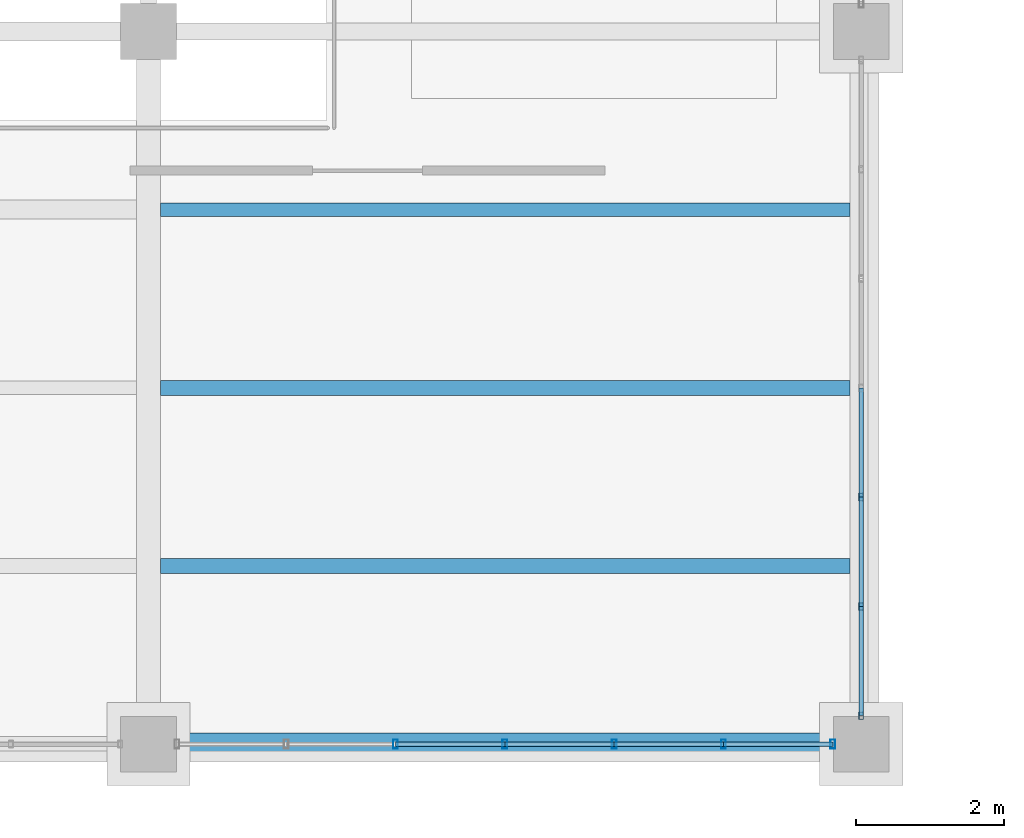
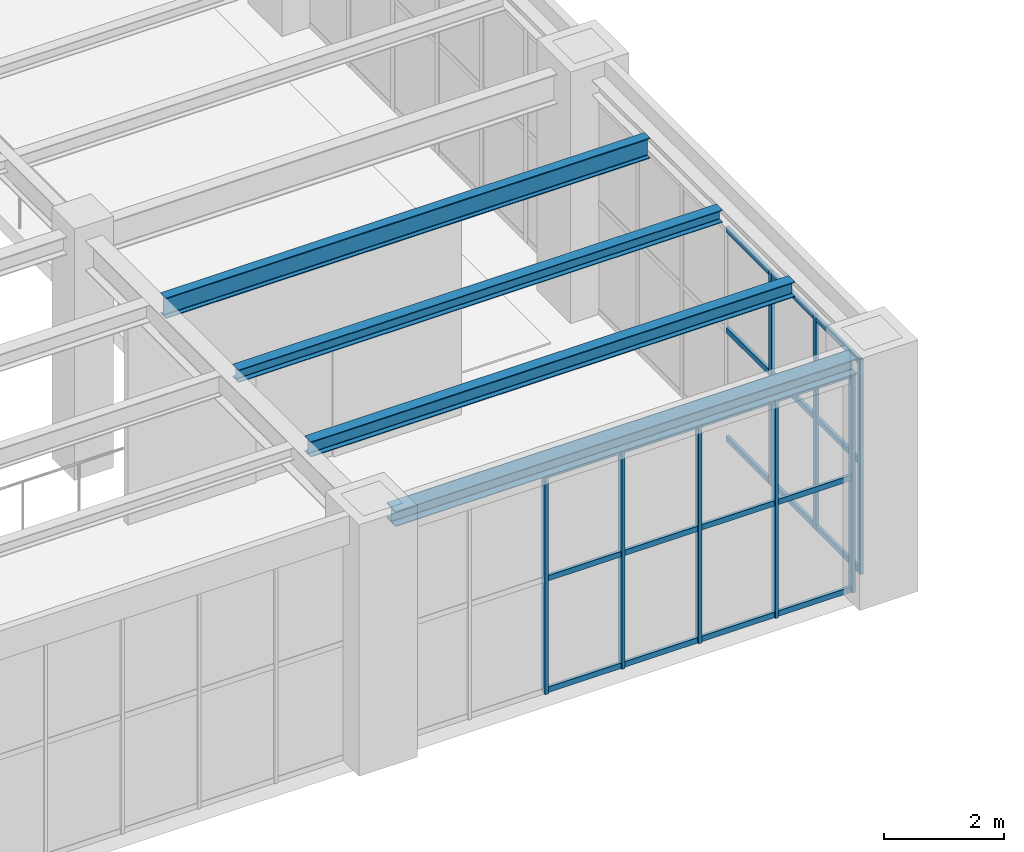
# One storey, part 23 of 174: 29 members, 4 beams, 2 elements without a shape of their own.
"""IFC4 building model written with IfcOpenShell, lengths in metres."""

from ifc_helpers import new_model, si_unit, direction, frame, origin, origin_2d, place, context, subcontext, project, spatial, hollow_rectangle, i_section, extrude, material, material_profile, profile_set, type_object, element, aggregate, save


model = new_model("IFC4")

# Units and contexts
model_context = context("Model", 3, precision=1e-05, world=origin(), true_north=direction((0.0, 1.0)))
body_context = subcontext(model_context, "Body", "Model", "MODEL_VIEW")
ifc_project = project(units=[si_unit("LENGTHUNIT", "METRE"), si_unit("AREAUNIT", "SQUARE_METRE"), si_unit("VOLUMEUNIT", "CUBIC_METRE"), si_unit("PLANEANGLEUNIT", "RADIAN"), si_unit("MASSUNIT", "GRAM", prefix="KILO")], contexts=[model_context])

# Site, building, storey
site_placement = place(None, origin())
site = spatial("IfcSite", under=ifc_project, at=site_placement, CompositionType="ELEMENT")
building_placement = place(site_placement, origin())
building = spatial("IfcBuilding", under=site, at=building_placement, Name="Mavantir Sound Aquarium", CompositionType="ELEMENT")
storey_placement = place(building_placement, frame((0.0, 0.0, 5.39990234375)))
storey = spatial("IfcBuildingStorey", under=building, at=storey_placement, Name="L01", CompositionType="ELEMENT", Elevation=5.39990234375)

# Beams
ifc_material_1 = material(Name="Structural Steel ASTM A992 Gr50", Category="steel")
ifc_material_profile_1 = material_profile(ifc_material_1, i_section(OverallWidth=0.202880859375, OverallDepth=0.251953125, WebThickness=0.008056640625, FlangeThickness=0.013427734375, FilletRadius=0.011962890625, at=origin_2d()), Name="W250X58")
ifc_profile_set_1 = profile_set([ifc_material_profile_1], Name="Structural Steel ASTM A992 Gr50")
beam_type_1 = type_object("IfcBeamType", Name="BM-W250X58-I", PredefinedType="JOIST", material=ifc_profile_set_1)
beam_1_placement = place(storey_placement, frame((28.9619140625, 4.800048828125, 4.670166015625), z_axis=(1.0, 0.0, 0.0), x_axis=(0.0, 1.0, 0.0)))
element("IfcBeam", 1, at=beam_1_placement, inside=storey, type_object=beam_type_1, Name="L01 secondary floor joist SJ-25 696", PredefinedType="JOIST", context=body_context, shape_type="SweptSolid", body=[
    extrude(i_section(OverallWidth=0.202880859375, OverallDepth=0.251953125, WebThickness=0.008056640625, FlangeThickness=0.013427734375, FilletRadius=0.011962890625, at=origin_2d()), origin(), (0.0, 0.0, 1.0), 9.28564453125),
])
ifc_material_profile_2 = material_profile(ifc_material_1, i_section(OverallWidth=0.205078125, OverallDepth=0.31005859375, WebThickness=0.009521484375, FlangeThickness=0.016357421875, FilletRadius=0.012939453125, at=origin_2d()), Name="W310X74")
ifc_profile_set_2 = profile_set([ifc_material_profile_2], Name="Structural Steel ASTM A992 Gr50")
beam_type_2 = type_object("IfcBeamType", Name="BM-W310X74-I", PredefinedType="JOIST", material=ifc_profile_set_2)
beam_2_placement = place(storey_placement, frame((28.9619140625, 2.39990234375, 4.64111328125), z_axis=(1.0, 0.0, 0.0), x_axis=(0.0, 1.0, 0.0)))
element("IfcBeam", 2, at=beam_2_placement, inside=storey, type_object=beam_type_2, Name="L01 secondary floor joist SJ-31 695", PredefinedType="JOIST", context=body_context, shape_type="SweptSolid", body=[
    extrude(i_section(OverallWidth=0.205078125, OverallDepth=0.31005859375, WebThickness=0.009521484375, FlangeThickness=0.016357421875, FilletRadius=0.012939453125, at=origin_2d()), origin(), (0.0, 0.0, 1.0), 9.28564453125),
])
ifc_material_profile_3 = material_profile(ifc_material_1, i_section(OverallWidth=0.304931640625, OverallDepth=0.30810546875, WebThickness=0.010009765625, FlangeThickness=0.015380859375, FilletRadius=0.014892578125, at=origin_2d()), Name="W310X97")
ifc_profile_set_3 = profile_set([ifc_material_profile_3], Name="Structural Steel ASTM A992 Gr50")
beam_type_3 = type_object("IfcBeamType", Name="BM-W310X97-E", PredefinedType="SPANDREL", material=ifc_profile_set_3)
beam_3_placement = place(storey_placement, frame((29.175048828125, 0.0, 4.64208984375), z_axis=(1.0, 0.0, 0.0), x_axis=(0.0, 1.0, 0.0)))
element("IfcBeam", 3, at=beam_3_placement, inside=storey, type_object=beam_type_3, Name="L01 primary beam SS-31A 1209", PredefinedType="SPANDREL", context=body_context, shape_type="SweptSolid", body=[
    extrude(i_section(OverallWidth=0.304931640625, OverallDepth=0.30810546875, WebThickness=0.010009765625, FlangeThickness=0.015380859375, FilletRadius=0.014892578125, at=origin_2d()), origin(), (0.0, 0.0, 1.0), 8.849853515625),
])
ifc_material_profile_4 = material_profile(ifc_material_1, i_section(OverallWidth=0.180908203125, OverallDepth=0.4169921875, WebThickness=0.010986328125, FlangeThickness=0.018310546875, FilletRadius=0.014892578125, at=origin_2d()), Name="W410X85")
ifc_profile_set_4 = profile_set([ifc_material_profile_4], Name="Structural Steel ASTM A992 Gr50")
beam_type_4 = type_object("IfcBeamType", Name="BM-W410X85-I", PredefinedType="JOIST", material=ifc_profile_set_4)
beam_4_placement = place(storey_placement, frame((28.9619140625, 7.199951171875, 4.587646484375), z_axis=(1.0, 0.0, 0.0), x_axis=(0.0, 1.0, 0.0)))
element("IfcBeam", 4, at=beam_4_placement, inside=storey, type_object=beam_type_4, Name="L01 secondary floor joist SJ-41 697", PredefinedType="JOIST", context=body_context, shape_type="SweptSolid", body=[
    extrude(i_section(OverallWidth=0.180908203125, OverallDepth=0.4169921875, WebThickness=0.010986328125, FlangeThickness=0.018310546875, FilletRadius=0.014892578125, at=origin_2d()), origin(), (0.0, 0.0, 1.0), 9.28564453125),
])

# Curtain wall, members
ifc_material_2 = material(Name="Anodised Marine Aluminium and Low-E Glass", Category="aluminium")
curtain_wall_type_1 = type_object("IfcCurtainWallType", Name="CW-T19", PredefinedType="USERDEFINED", material=ifc_material_2)
curtain_wall_1_placement = place(storey_placement, origin())
curtain_wall_1 = element("IfcCurtainWall", 5, at=curtain_wall_1_placement, inside=storey, type_object=curtain_wall_type_1, Name="L01 unitised curtain wall CW-19 67", ObjectType="UNITISED GLAZING", PredefinedType="USERDEFINED")
ifc_material_3 = material(Name="Anodised Marine Aluminium 6063-T6", Category="aluminium")
ifc_material_profile_5 = material_profile(ifc_material_3, hollow_rectangle(XDim=0.06005859375, YDim=0.10009765625, WallThickness=0.00390625, at=origin_2d()), Name="ALU-MULLION-100X60")
ifc_profile_set_5 = profile_set([ifc_material_profile_5], Name="Anodised Marine Aluminium 6063-T6")
member_type_1 = type_object("IfcMemberType", Name="CW-MUL-100", PredefinedType="MULLION", material=ifc_profile_set_5)
member_1_placement = place(storey_placement, frame((38.39990234375, 0.383056640625, 0.0), z_axis=(0.0, 0.0, 1.0), x_axis=(1.0, 0.0, 0.0)))
member_1 = element("IfcMember", 6, at=member_1_placement, type_object=member_type_1, Name="CW-L01-067 vertical mullion 1", PredefinedType="MULLION", context=body_context, shape_type="SweptSolid", body=[
    extrude(hollow_rectangle(XDim=0.06005859375, YDim=0.10009765625, WallThickness=0.00390625, at=origin_2d()), origin(), (0.0, 0.0, 1.0), 4.34912109375),
])
member_2_placement = place(storey_placement, frame((38.39990234375, 1.855224609375, 0.0), z_axis=(0.0, 0.0, 1.0), x_axis=(1.0, 0.0, 0.0)))
member_2 = element("IfcMember", 7, at=member_2_placement, type_object=member_type_1, Name="CW-L01-067 vertical mullion 2", PredefinedType="MULLION", context=body_context, shape_type="SweptSolid", body=[
    extrude(hollow_rectangle(XDim=0.06005859375, YDim=0.10009765625, WallThickness=0.00390625, at=origin_2d()), origin(), (0.0, 0.0, 1.0), 4.34912109375),
])
member_3_placement = place(storey_placement, frame((38.39990234375, 3.32763671875, 0.0), z_axis=(0.0, 0.0, 1.0), x_axis=(1.0, 0.0, 0.0)))
member_3 = element("IfcMember", 8, at=member_3_placement, type_object=member_type_1, Name="CW-L01-067 vertical mullion 3", PredefinedType="MULLION", context=body_context, shape_type="SweptSolid", body=[
    extrude(hollow_rectangle(XDim=0.06005859375, YDim=0.10009765625, WallThickness=0.00390625, at=origin_2d()), origin(), (0.0, 0.0, 1.0), 4.34912109375),
])

curtain_wall_type_2 = type_object("IfcCurtainWallType", Name="CW-T08", PredefinedType="USERDEFINED", material=ifc_material_2)
curtain_wall_2_placement = place(storey_placement, origin())
curtain_wall_2 = element("IfcCurtainWall", 9, at=curtain_wall_2_placement, inside=storey, type_object=curtain_wall_type_2, Name="L01 unitised curtain wall CW-08 80", ObjectType="UNITISED GLAZING", PredefinedType="USERDEFINED")
ifc_material_profile_6 = material_profile(ifc_material_3, hollow_rectangle(XDim=0.06494140625, YDim=0.1201171875, WallThickness=0.00390625, at=origin_2d()), Name="ALU-MULLION-120X65")
ifc_profile_set_6 = profile_set([ifc_material_profile_6], Name="Anodised Marine Aluminium 6063-T6")
member_type_2 = type_object("IfcMemberType", Name="CW-MUL-120", PredefinedType="MULLION", material=ifc_profile_set_6)
member_4_placement = place(storey_placement, frame((32.127685546875, 0.0, 0.0), z_axis=(0.0, 0.0, 1.0), x_axis=(1.0, 0.0, 0.0)))
member_4 = element("IfcMember", 10, at=member_4_placement, type_object=member_type_2, Name="CW-L01-080 vertical mullion 3", PredefinedType="MULLION", context=body_context, shape_type="SweptSolid", body=[
    extrude(hollow_rectangle(XDim=0.06494140625, YDim=0.1201171875, WallThickness=0.00390625, at=origin_2d()), origin(), (0.0, 0.0, 1.0), 4.4580078125),
])
member_5_placement = place(storey_placement, frame((33.60009765625, 0.0, 0.0), z_axis=(0.0, 0.0, 1.0), x_axis=(1.0, 0.0, 0.0)))
member_5 = element("IfcMember", 11, at=member_5_placement, type_object=member_type_2, Name="CW-L01-080 vertical mullion 4", PredefinedType="MULLION", context=body_context, shape_type="SweptSolid", body=[
    extrude(hollow_rectangle(XDim=0.06494140625, YDim=0.1201171875, WallThickness=0.00390625, at=origin_2d()), origin(), (0.0, 0.0, 1.0), 4.4580078125),
])
member_6_placement = place(storey_placement, frame((35.072265625, 0.0, 0.0), z_axis=(0.0, 0.0, 1.0), x_axis=(1.0, 0.0, 0.0)))
member_6 = element("IfcMember", 12, at=member_6_placement, type_object=member_type_2, Name="CW-L01-080 vertical mullion 5", PredefinedType="MULLION", context=body_context, shape_type="SweptSolid", body=[
    extrude(hollow_rectangle(XDim=0.06494140625, YDim=0.1201171875, WallThickness=0.00390625, at=origin_2d()), origin(), (0.0, 0.0, 1.0), 4.4580078125),
])
member_7_placement = place(storey_placement, frame((36.544677734375, 0.0, 0.0), z_axis=(0.0, 0.0, 1.0), x_axis=(1.0, 0.0, 0.0)))
member_7 = element("IfcMember", 13, at=member_7_placement, type_object=member_type_2, Name="CW-L01-080 vertical mullion 6", PredefinedType="MULLION", context=body_context, shape_type="SweptSolid", body=[
    extrude(hollow_rectangle(XDim=0.06494140625, YDim=0.1201171875, WallThickness=0.00390625, at=origin_2d()), origin(), (0.0, 0.0, 1.0), 4.4580078125),
])
member_8_placement = place(storey_placement, frame((38.01708984375, 0.0, 0.0), z_axis=(0.0, 0.0, 1.0), x_axis=(1.0, 0.0, 0.0)))
member_8 = element("IfcMember", 14, at=member_8_placement, type_object=member_type_2, Name="CW-L01-080 vertical mullion 7", PredefinedType="MULLION", context=body_context, shape_type="SweptSolid", body=[
    extrude(hollow_rectangle(XDim=0.06494140625, YDim=0.1201171875, WallThickness=0.00390625, at=origin_2d()), origin(), (0.0, 0.0, 1.0), 4.4580078125),
])

# Member
ifc_material_profile_7 = material_profile(ifc_material_3, hollow_rectangle(XDim=0.06005859375, YDim=0.110107421875, WallThickness=0.00390625, at=origin_2d()), Name="ALU-TRANSOM-110X60")
ifc_profile_set_7 = profile_set([ifc_material_profile_7], Name="Anodised Marine Aluminium 6063-T6")
member_type_3 = type_object("IfcMemberType", Name="CW-TRN-110", PredefinedType="USERDEFINED", material=ifc_profile_set_7)
member_9_placement = place(storey_placement, frame((38.39990234375, 0.383056640625, 0.05517578125), z_axis=(0.0, 1.0, 0.0), x_axis=(-1.0, 0.0, 0.0)))
member_9 = element("IfcMember", 15, at=member_9_placement, type_object=member_type_3, Name="CW-L01-067 transom 1.1", ObjectType="TRANSOM", PredefinedType="USERDEFINED", context=body_context, shape_type="SweptSolid", body=[
    extrude(hollow_rectangle(XDim=0.06005859375, YDim=0.110107421875, WallThickness=0.00390625, at=origin_2d()), origin(), (0.0, 0.0, 1.0), 1.47216796875),
])

member_10_placement = place(storey_placement, frame((38.39990234375, 0.383056640625, 2.26171875), z_axis=(0.0, 1.0, 0.0), x_axis=(-1.0, 0.0, 0.0)))
member_10 = element("IfcMember", 16, at=member_10_placement, type_object=member_type_3, Name="CW-L01-067 transom 1.2", ObjectType="TRANSOM", PredefinedType="USERDEFINED", context=body_context, shape_type="SweptSolid", body=[
    extrude(hollow_rectangle(XDim=0.06005859375, YDim=0.110107421875, WallThickness=0.00390625, at=origin_2d()), origin(), (0.0, 0.0, 1.0), 1.47216796875),
])

member_11_placement = place(storey_placement, frame((38.39990234375, 0.383056640625, 4.294189453125), z_axis=(0.0, 1.0, 0.0), x_axis=(-1.0, 0.0, 0.0)))
member_11 = element("IfcMember", 17, at=member_11_placement, type_object=member_type_3, Name="CW-L01-067 transom 1.3", ObjectType="TRANSOM", PredefinedType="USERDEFINED", context=body_context, shape_type="SweptSolid", body=[
    extrude(hollow_rectangle(XDim=0.06005859375, YDim=0.110107421875, WallThickness=0.00390625, at=origin_2d()), origin(), (0.0, 0.0, 1.0), 1.47216796875),
])

member_12_placement = place(storey_placement, frame((38.39990234375, 1.855224609375, 0.05517578125), z_axis=(0.0, 1.0, 0.0), x_axis=(-1.0, 0.0, 0.0)))
member_12 = element("IfcMember", 18, at=member_12_placement, type_object=member_type_3, Name="CW-L01-067 transom 2.1", ObjectType="TRANSOM", PredefinedType="USERDEFINED", context=body_context, shape_type="SweptSolid", body=[
    extrude(hollow_rectangle(XDim=0.06005859375, YDim=0.110107421875, WallThickness=0.00390625, at=origin_2d()), origin(), (0.0, 0.0, 1.0), 1.472412109375),
])

member_13_placement = place(storey_placement, frame((38.39990234375, 1.855224609375, 2.26171875), z_axis=(0.0, 1.0, 0.0), x_axis=(-1.0, 0.0, 0.0)))
member_13 = element("IfcMember", 19, at=member_13_placement, type_object=member_type_3, Name="CW-L01-067 transom 2.2", ObjectType="TRANSOM", PredefinedType="USERDEFINED", context=body_context, shape_type="SweptSolid", body=[
    extrude(hollow_rectangle(XDim=0.06005859375, YDim=0.110107421875, WallThickness=0.00390625, at=origin_2d()), origin(), (0.0, 0.0, 1.0), 1.472412109375),
])

member_14_placement = place(storey_placement, frame((38.39990234375, 1.855224609375, 4.294189453125), z_axis=(0.0, 1.0, 0.0), x_axis=(-1.0, 0.0, 0.0)))
member_14 = element("IfcMember", 20, at=member_14_placement, type_object=member_type_3, Name="CW-L01-067 transom 2.3", ObjectType="TRANSOM", PredefinedType="USERDEFINED", context=body_context, shape_type="SweptSolid", body=[
    extrude(hollow_rectangle(XDim=0.06005859375, YDim=0.110107421875, WallThickness=0.00390625, at=origin_2d()), origin(), (0.0, 0.0, 1.0), 1.472412109375),
])

member_15_placement = place(storey_placement, frame((38.39990234375, 3.32763671875, 0.05517578125), z_axis=(0.0, 1.0, 0.0), x_axis=(-1.0, 0.0, 0.0)))
member_15 = element("IfcMember", 21, at=member_15_placement, type_object=member_type_3, Name="CW-L01-067 transom 3.1", ObjectType="TRANSOM", PredefinedType="USERDEFINED", context=body_context, shape_type="SweptSolid", body=[
    extrude(hollow_rectangle(XDim=0.06005859375, YDim=0.110107421875, WallThickness=0.00390625, at=origin_2d()), origin(), (0.0, 0.0, 1.0), 1.472412109375),
])

member_16_placement = place(storey_placement, frame((38.39990234375, 3.32763671875, 2.26171875), z_axis=(0.0, 1.0, 0.0), x_axis=(-1.0, 0.0, 0.0)))
member_16 = element("IfcMember", 22, at=member_16_placement, type_object=member_type_3, Name="CW-L01-067 transom 3.2", ObjectType="TRANSOM", PredefinedType="USERDEFINED", context=body_context, shape_type="SweptSolid", body=[
    extrude(hollow_rectangle(XDim=0.06005859375, YDim=0.110107421875, WallThickness=0.00390625, at=origin_2d()), origin(), (0.0, 0.0, 1.0), 1.472412109375),
])

member_17_placement = place(storey_placement, frame((38.39990234375, 3.32763671875, 4.294189453125), z_axis=(0.0, 1.0, 0.0), x_axis=(-1.0, 0.0, 0.0)))
member_17 = element("IfcMember", 23, at=member_17_placement, type_object=member_type_3, Name="CW-L01-067 transom 3.3", ObjectType="TRANSOM", PredefinedType="USERDEFINED", context=body_context, shape_type="SweptSolid", body=[
    extrude(hollow_rectangle(XDim=0.06005859375, YDim=0.110107421875, WallThickness=0.00390625, at=origin_2d()), origin(), (0.0, 0.0, 1.0), 1.472412109375),
])

aggregate(curtain_wall_1, [member_1, member_2, member_3, member_9, member_10, member_11, member_12, member_13, member_14, member_15, member_16, member_17])

member_18_placement = place(storey_placement, frame((32.127685546875, 0.0, 0.05517578125), z_axis=(1.0, 0.0, 0.0), x_axis=(0.0, 1.0, 0.0)))
member_18 = element("IfcMember", 24, at=member_18_placement, type_object=member_type_3, Name="CW-L01-080 transom 3.1", ObjectType="TRANSOM", PredefinedType="USERDEFINED", context=body_context, shape_type="SweptSolid", body=[
    extrude(hollow_rectangle(XDim=0.06005859375, YDim=0.110107421875, WallThickness=0.00390625, at=origin_2d()), origin(), (0.0, 0.0, 1.0), 1.472412109375),
])

member_19_placement = place(storey_placement, frame((32.127685546875, 0.0, 2.318359375), z_axis=(1.0, 0.0, 0.0), x_axis=(0.0, 1.0, 0.0)))
member_19 = element("IfcMember", 25, at=member_19_placement, type_object=member_type_3, Name="CW-L01-080 transom 3.2", ObjectType="TRANSOM", PredefinedType="USERDEFINED", context=body_context, shape_type="SweptSolid", body=[
    extrude(hollow_rectangle(XDim=0.06005859375, YDim=0.110107421875, WallThickness=0.00390625, at=origin_2d()), origin(), (0.0, 0.0, 1.0), 1.472412109375),
])

member_20_placement = place(storey_placement, frame((32.127685546875, 0.0, 4.403076171875), z_axis=(1.0, 0.0, 0.0), x_axis=(0.0, 1.0, 0.0)))
member_20 = element("IfcMember", 26, at=member_20_placement, type_object=member_type_3, Name="CW-L01-080 transom 3.3", ObjectType="TRANSOM", PredefinedType="USERDEFINED", context=body_context, shape_type="SweptSolid", body=[
    extrude(hollow_rectangle(XDim=0.06005859375, YDim=0.110107421875, WallThickness=0.00390625, at=origin_2d()), origin(), (0.0, 0.0, 1.0), 1.472412109375),
])

member_21_placement = place(storey_placement, frame((33.60009765625, 0.0, 0.05517578125), z_axis=(1.0, 0.0, 0.0), x_axis=(0.0, 1.0, 0.0)))
member_21 = element("IfcMember", 27, at=member_21_placement, type_object=member_type_3, Name="CW-L01-080 transom 4.1", ObjectType="TRANSOM", PredefinedType="USERDEFINED", context=body_context, shape_type="SweptSolid", body=[
    extrude(hollow_rectangle(XDim=0.06005859375, YDim=0.110107421875, WallThickness=0.00390625, at=origin_2d()), origin(), (0.0, 0.0, 1.0), 1.47216796875),
])

member_22_placement = place(storey_placement, frame((33.60009765625, 0.0, 2.318359375), z_axis=(1.0, 0.0, 0.0), x_axis=(0.0, 1.0, 0.0)))
member_22 = element("IfcMember", 28, at=member_22_placement, type_object=member_type_3, Name="CW-L01-080 transom 4.2", ObjectType="TRANSOM", PredefinedType="USERDEFINED", context=body_context, shape_type="SweptSolid", body=[
    extrude(hollow_rectangle(XDim=0.06005859375, YDim=0.110107421875, WallThickness=0.00390625, at=origin_2d()), origin(), (0.0, 0.0, 1.0), 1.47216796875),
])

member_23_placement = place(storey_placement, frame((33.60009765625, 0.0, 4.403076171875), z_axis=(1.0, 0.0, 0.0), x_axis=(0.0, 1.0, 0.0)))
member_23 = element("IfcMember", 29, at=member_23_placement, type_object=member_type_3, Name="CW-L01-080 transom 4.3", ObjectType="TRANSOM", PredefinedType="USERDEFINED", context=body_context, shape_type="SweptSolid", body=[
    extrude(hollow_rectangle(XDim=0.06005859375, YDim=0.110107421875, WallThickness=0.00390625, at=origin_2d()), origin(), (0.0, 0.0, 1.0), 1.47216796875),
])

member_24_placement = place(storey_placement, frame((35.072265625, 0.0, 0.05517578125), z_axis=(1.0, 0.0, 0.0), x_axis=(0.0, 1.0, 0.0)))
member_24 = element("IfcMember", 30, at=member_24_placement, type_object=member_type_3, Name="CW-L01-080 transom 5.1", ObjectType="TRANSOM", PredefinedType="USERDEFINED", context=body_context, shape_type="SweptSolid", body=[
    extrude(hollow_rectangle(XDim=0.06005859375, YDim=0.110107421875, WallThickness=0.00390625, at=origin_2d()), origin(), (0.0, 0.0, 1.0), 1.472412109375),
])

member_25_placement = place(storey_placement, frame((35.072265625, 0.0, 2.318359375), z_axis=(1.0, 0.0, 0.0), x_axis=(0.0, 1.0, 0.0)))
member_25 = element("IfcMember", 31, at=member_25_placement, type_object=member_type_3, Name="CW-L01-080 transom 5.2", ObjectType="TRANSOM", PredefinedType="USERDEFINED", context=body_context, shape_type="SweptSolid", body=[
    extrude(hollow_rectangle(XDim=0.06005859375, YDim=0.110107421875, WallThickness=0.00390625, at=origin_2d()), origin(), (0.0, 0.0, 1.0), 1.472412109375),
])

member_26_placement = place(storey_placement, frame((35.072265625, 0.0, 4.403076171875), z_axis=(1.0, 0.0, 0.0), x_axis=(0.0, 1.0, 0.0)))
member_26 = element("IfcMember", 32, at=member_26_placement, type_object=member_type_3, Name="CW-L01-080 transom 5.3", ObjectType="TRANSOM", PredefinedType="USERDEFINED", context=body_context, shape_type="SweptSolid", body=[
    extrude(hollow_rectangle(XDim=0.06005859375, YDim=0.110107421875, WallThickness=0.00390625, at=origin_2d()), origin(), (0.0, 0.0, 1.0), 1.472412109375),
])

member_27_placement = place(storey_placement, frame((36.544677734375, 0.0, 0.05517578125), z_axis=(1.0, 0.0, 0.0), x_axis=(0.0, 1.0, 0.0)))
member_27 = element("IfcMember", 33, at=member_27_placement, type_object=member_type_3, Name="CW-L01-080 transom 6.1", ObjectType="TRANSOM", PredefinedType="USERDEFINED", context=body_context, shape_type="SweptSolid", body=[
    extrude(hollow_rectangle(XDim=0.06005859375, YDim=0.110107421875, WallThickness=0.00390625, at=origin_2d()), origin(), (0.0, 0.0, 1.0), 1.472412109375),
])

member_28_placement = place(storey_placement, frame((36.544677734375, 0.0, 2.318359375), z_axis=(1.0, 0.0, 0.0), x_axis=(0.0, 1.0, 0.0)))
member_28 = element("IfcMember", 34, at=member_28_placement, type_object=member_type_3, Name="CW-L01-080 transom 6.2", ObjectType="TRANSOM", PredefinedType="USERDEFINED", context=body_context, shape_type="SweptSolid", body=[
    extrude(hollow_rectangle(XDim=0.06005859375, YDim=0.110107421875, WallThickness=0.00390625, at=origin_2d()), origin(), (0.0, 0.0, 1.0), 1.472412109375),
])

member_29_placement = place(storey_placement, frame((36.544677734375, 0.0, 4.403076171875), z_axis=(1.0, 0.0, 0.0), x_axis=(0.0, 1.0, 0.0)))
member_29 = element("IfcMember", 35, at=member_29_placement, type_object=member_type_3, Name="CW-L01-080 transom 6.3", ObjectType="TRANSOM", PredefinedType="USERDEFINED", context=body_context, shape_type="SweptSolid", body=[
    extrude(hollow_rectangle(XDim=0.06005859375, YDim=0.110107421875, WallThickness=0.00390625, at=origin_2d()), origin(), (0.0, 0.0, 1.0), 1.472412109375),
])

aggregate(curtain_wall_2, [member_4, member_5, member_6, member_7, member_8, member_18, member_19, member_20, member_21, member_22, member_23, member_24, member_25, member_26, member_27, member_28, member_29])

save(model, "model.ifc")
